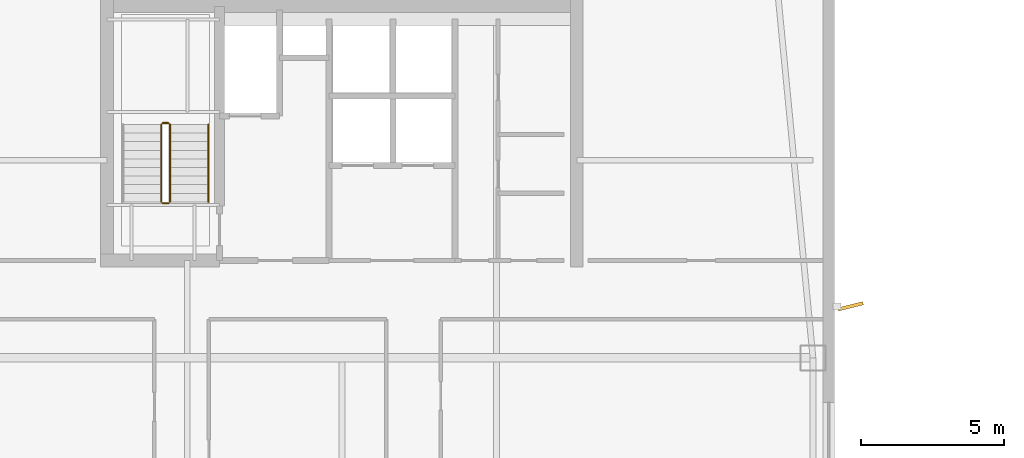
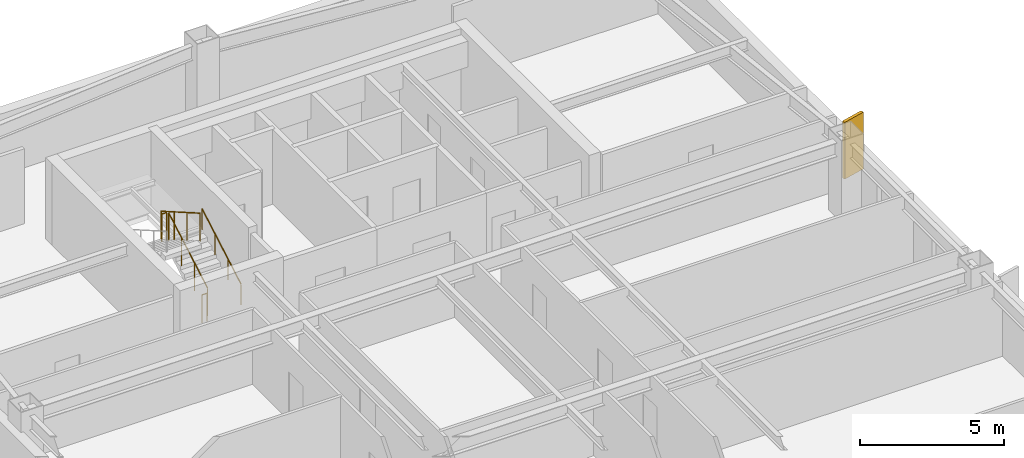
# One storey, part 16 of 18: 5 railings, 1 shading device.
"""IFC4 building model written with IfcOpenShell, lengths in metres."""

from ifc_helpers import new_model, si_unit, direction, frame, origin, origin_2d, place, context, subcontext, project, spatial, rectangle, circle, extrude, material, layer, layer_set, type_object, element, save


model = new_model("IFC4")

# Units and contexts
model_context = context("Model", 3, precision=1e-05, world=origin(), true_north=direction((0.0, 1.0)))
body_context = subcontext(model_context, "Body", "Model", "MODEL_VIEW")
ifc_project = project(units=[si_unit("LENGTHUNIT", "METRE"), si_unit("AREAUNIT", "SQUARE_METRE"), si_unit("VOLUMEUNIT", "CUBIC_METRE"), si_unit("PLANEANGLEUNIT", "RADIAN"), si_unit("MASSUNIT", "GRAM", prefix="KILO")], contexts=[model_context])

# Site, building, storey
site_placement = place(None, origin())
site = spatial("IfcSite", under=ifc_project, at=site_placement, CompositionType="ELEMENT")
building_placement = place(site_placement, origin())
building = spatial("IfcBuilding", under=site, at=building_placement, Name="Qiaolan Cultural Towers", CompositionType="ELEMENT")
storey_placement = place(building_placement, frame((0.0, 0.0, 195.5)))
storey = spatial("IfcBuildingStorey", under=building, at=storey_placement, Name="L52", CompositionType="ELEMENT", Elevation=195.5)

# Railings
ifc_material_1 = material(Name="Galvanized Painted Steel Stair Guardrail", Category="steel")
railing_type_1 = type_object("IfcRailingType", Name="RL-STAIR-GRD", PredefinedType="GUARDRAIL", material=ifc_material_1)
railing_1_placement = place(storey_placement, frame((23.989990234375, 48.449951171875, 0.172607421875)))
element("IfcRailing", 1, at=railing_1_placement, inside=storey, type_object=railing_type_1, Name="L52 ST-W2 stair guard 1", PredefinedType="GUARDRAIL", context=body_context, shape_type="SweptSolid", body=[
    extrude(circle(Radius=0.02392578125, at=origin_2d()), frame((0.0, 0.0, 1.17578125), z_axis=(0.0, 0.866903762492, 0.498475542607), x_axis=(-1.0, 0.0, 0.0)), (0.0, 0.0, 1.0), 3.114501953125),
    extrude(circle(Radius=0.02099609375, at=origin_2d()), origin(), (0.0, 0.0, 1.0), 1.15185546875),
    extrude(circle(Radius=0.02099609375, at=origin_2d()), frame((0.0, 0.89990234375, 0.517578125)), (0.0, 0.0, 1.0), 1.15185546875),
    extrude(circle(Radius=0.02099609375, at=origin_2d()), frame((0.0, 1.800048828125, 1.034912109375)), (0.0, 0.0, 1.0), 1.15185546875),
    extrude(circle(Radius=0.02099609375, at=origin_2d()), frame((0.0, 2.699951171875, 1.552490234375)), (0.0, 0.0, 1.0), 1.15185546875),
])
railing_2_placement = place(storey_placement, frame((23.93994140625, 51.199951171875, 1.72509765625)))
element("IfcRailing", 2, at=railing_2_placement, inside=storey, type_object=railing_type_1, Name="L52 ST-W2 stair guard 2", PredefinedType="GUARDRAIL", context=body_context, shape_type="SweptSolid", body=[
    extrude(circle(Radius=0.02392578125, at=origin_2d()), frame((0.0, 0.0, 1.17578125), z_axis=(-1.0, 0.0, 0.0), x_axis=(0.0, -1.0, 0.0)), (0.0, 0.0, 1.0), 0.199951171875),
    extrude(circle(Radius=0.02099609375, at=origin_2d()), origin(), (0.0, 0.0, 1.0), 1.15185546875),
    extrude(circle(Radius=0.02099609375, at=origin_2d()), frame((-0.199951171875, 0.0, 0.0)), (0.0, 0.0, 1.0), 1.15185546875),
])
railing_3_placement = place(storey_placement, frame((23.68994140625, 51.14990234375, 1.8974609375)))
element("IfcRailing", 3, at=railing_3_placement, inside=storey, type_object=railing_type_1, Name="L52 ST-W2 stair guard 3", PredefinedType="GUARDRAIL", context=body_context, shape_type="SweptSolid", body=[
    extrude(circle(Radius=0.02392578125, at=origin_2d()), frame((0.0, 0.0, 1.17578125), z_axis=(0.0, -0.866903762492, 0.498475542607), x_axis=(1.0, 0.0, 0.0)), (0.0, 0.0, 1.0), 3.114501953125),
    extrude(circle(Radius=0.02099609375, at=origin_2d()), origin(), (0.0, 0.0, 1.0), 1.15185546875),
    extrude(circle(Radius=0.02099609375, at=origin_2d()), frame((0.0, -0.89990234375, 0.517578125)), (0.0, 0.0, 1.0), 1.15185546875),
    extrude(circle(Radius=0.02099609375, at=origin_2d()), frame((0.0, -1.800048828125, 1.034912109375)), (0.0, 0.0, 1.0), 1.15185546875),
    extrude(circle(Radius=0.02099609375, at=origin_2d()), frame((0.0, -2.699951171875, 1.552490234375)), (0.0, 0.0, 1.0), 1.15185546875),
])
railing_4_placement = place(storey_placement, frame((23.93994140625, 48.39990234375, 0.0)))
element("IfcRailing", 4, at=railing_4_placement, inside=storey, type_object=railing_type_1, Name="L52 ST-W2 stair guard 4", PredefinedType="GUARDRAIL", context=body_context, shape_type="SweptSolid", body=[
    extrude(circle(Radius=0.02392578125, at=origin_2d()), frame((0.0, 0.0, 1.17578125), z_axis=(-1.0, 0.0, 0.0), x_axis=(0.0, -1.0, 0.0)), (0.0, 0.0, 1.0), 0.199951171875),
    extrude(circle(Radius=0.02099609375, at=origin_2d()), origin(), (0.0, 0.0, 1.0), 1.15185546875),
    extrude(circle(Radius=0.02099609375, at=origin_2d()), frame((-0.199951171875, 0.0, 0.0)), (0.0, 0.0, 1.0), 1.15185546875),
])
ifc_material_2 = material(Name="Stainless Steel S30408 Tubular Handrail", Category="steel")
railing_type_2 = type_object("IfcRailingType", Name="RL-STAIR-HR", PredefinedType="HANDRAIL", material=ifc_material_2)
railing_5_placement = place(storey_placement, frame((25.330078125, 48.449951171875, 0.172607421875)))
element("IfcRailing", 5, at=railing_5_placement, inside=storey, type_object=railing_type_2, Name="L52 ST-W2 stair handrail 1", PredefinedType="HANDRAIL", context=body_context, shape_type="SweptSolid", body=[
    extrude(circle(Radius=0.02392578125, at=origin_2d()), frame((0.0, 0.0, 0.8759765625), z_axis=(0.0, 0.866903762492, 0.498475542607), x_axis=(-1.0, 0.0, 0.0)), (0.0, 0.0, 1.0), 3.114501953125),
    extrude(circle(Radius=0.02099609375, at=origin_2d()), origin(), (0.0, 0.0, 1.0), 0.851806640625),
    extrude(circle(Radius=0.02099609375, at=origin_2d()), frame((0.0, 0.89990234375, 0.517578125)), (0.0, 0.0, 1.0), 0.851806640625),
    extrude(circle(Radius=0.02099609375, at=origin_2d()), frame((0.0, 1.800048828125, 1.034912109375)), (0.0, 0.0, 1.0), 0.851806640625),
    extrude(circle(Radius=0.02099609375, at=origin_2d()), frame((0.0, 2.699951171875, 1.552490234375)), (0.0, 0.0, 1.0), 0.851806640625),
])

# Shading device
ifc_material_3 = material(Name="Pierced Warm Terracotta Acoustic Fin", Category="masonry")
ifc_layer = layer(ifc_material_3, 0.1201171875)
ifc_layer_set = layer_set([ifc_layer], Name="Pierced Warm Terracotta Acoustic Fin")
shading_device_type = type_object("IfcShadingDeviceType", Name="SHD-FIN-PIERCED", PredefinedType="USERDEFINED", material=ifc_layer_set)
shading_device_placement = place(storey_placement, frame((47.760009765625, 44.800048828125, 0.10009765625), z_axis=(0.0, 0.0, 1.0), x_axis=(0.969891617581, 0.243536958479, 0.0)))
element("IfcShadingDevice", 6, at=shading_device_placement, inside=storey, type_object=shading_device_type, Name="L52 T1 Expressive Precast Vertical Fin E3", ObjectType="FIN", PredefinedType="USERDEFINED", context=body_context, shape_type="SweptSolid", body=[
    extrude(rectangle(XDim=0.89990234375, YDim=0.1201171875, at=origin_2d()), origin(), (0.0, 0.0, 1.0), 2.409912109375),
])

save(model, "model.ifc")
